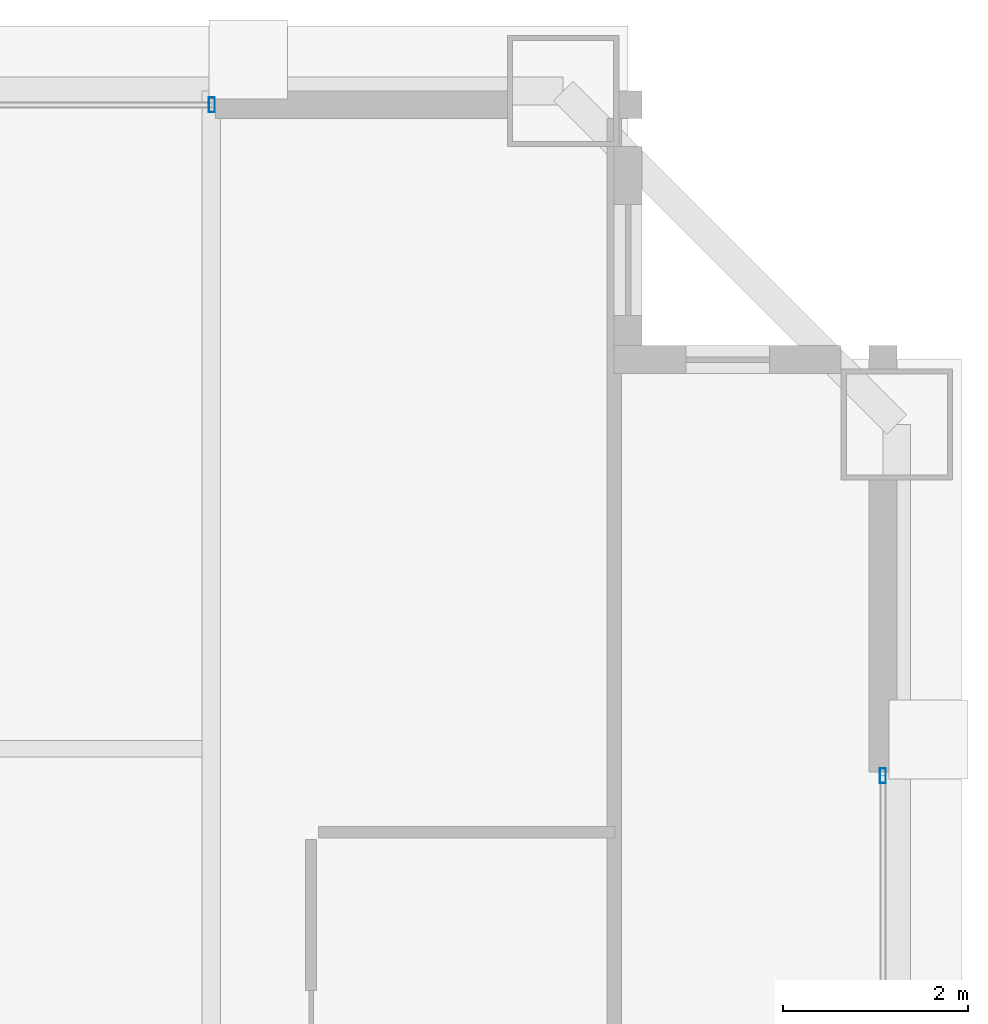
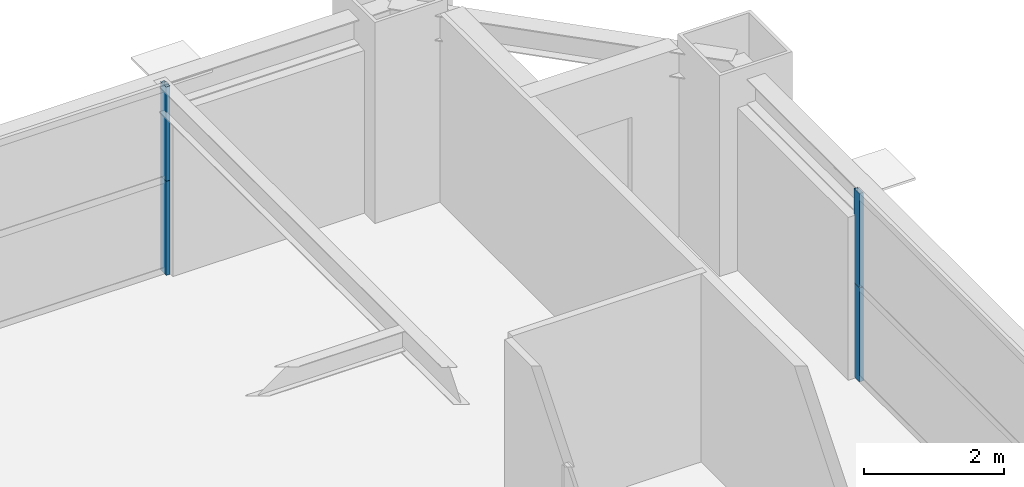
# One storey, part 31 of 37: 4 members, 2 elements without a shape of their own.
"""IFC4 building model written with IfcOpenShell, lengths in metres."""

from ifc_helpers import new_model, si_unit, direction, frame, origin, origin_2d, place, context, subcontext, project, spatial, hollow_rectangle, extrude, source, transform, mapped, material, layer, layer_set, material_profile, profile_set, type_object, element, aggregate, save


model = new_model("IFC4")

# Units and contexts
model_context = context("Model", 3, precision=1e-05, world=origin(), true_north=direction((0.0, 1.0)))
body_context = subcontext(model_context, "Body", "Model", "MODEL_VIEW")
ifc_project = project(units=[si_unit("LENGTHUNIT", "METRE"), si_unit("AREAUNIT", "SQUARE_METRE"), si_unit("VOLUMEUNIT", "CUBIC_METRE"), si_unit("PLANEANGLEUNIT", "RADIAN"), si_unit("MASSUNIT", "GRAM", prefix="KILO"), si_unit("THERMODYNAMICTEMPERATUREUNIT", "KELVIN"), si_unit("POWERUNIT", "WATT")], contexts=[model_context])

# Site, building, storey
site_placement = place(None, origin())
site = spatial("IfcSite", under=ifc_project, at=site_placement, CompositionType="ELEMENT")
building_placement = place(site_placement, origin())
building = spatial("IfcBuilding", under=site, at=building_placement, Name="Yuzanri Waterfront Tower", CompositionType="ELEMENT")
storey_placement = place(building_placement, frame((0.0, 0.0, 275.10009765625)))
storey = spatial("IfcBuildingStorey", under=building, at=storey_placement, Name="L73", CompositionType="ELEMENT", Elevation=275.10009765625)

# Curtain wall, members
ifc_material_1 = material(Name="Anodized Architectural Bronze", Category="metal")
ifc_layer = layer(ifc_material_1, 0.159912109375)
ifc_layer_set = layer_set([ifc_layer], Name="Anodized Architectural Bronze")
curtain_wall_type = type_object("IfcCurtainWallType", Name="Anodized Bronze Mid-Rise Residential Acoustic Unitized Curtain Wall 7200", PredefinedType="NOTDEFINED", material=ifc_layer_set)
curtain_wall_1_placement = place(storey_placement, origin())
curtain_wall_1 = element("IfcCurtainWall", 1, at=curtain_wall_1_placement, inside=storey, type_object=curtain_wall_type, Name="L73 Curtain Wall CW-L73-NR", PredefinedType="NOTDEFINED")
ifc_material_2 = material(Name="Anodized Architectural Bronze", Category="metal")
ifc_material_profile = material_profile(ifc_material_2, hollow_rectangle(XDim=0.06494140625, YDim=0.159912109375, WallThickness=0.00341796875, at=origin_2d()), Name="CWM 65x160")
ifc_profile_set = profile_set([ifc_material_profile], Name="Anodized Architectural Bronze")
member_type = type_object("IfcMemberType", Name="Anodized Bronze Upper-Zone Curtain-Wall Mullion 65x160", PredefinedType="MULLION", material=ifc_profile_set)
shared_shape = source(origin(), body_context, "Body", "SweptSolid", [
    extrude(hollow_rectangle(XDim=0.06494140625, YDim=0.159912109375, WallThickness=0.00341796875, at=origin_2d()), origin(), (0.0, 0.0, 1.0), 1.637939453125),
])
member_1_placement = place(storey_placement, frame((50.2099609375, 46.25, 0.0), z_axis=(0.0, 0.0, 1.0), x_axis=(1.0, 0.0, 0.0)))
member_1 = element("IfcMember", 2, at=member_1_placement, type_object=member_type, Name="CW-L73-NR Lower Mullion 02", PredefinedType="MULLION", context=body_context, shape_type="MappedRepresentation", body=[
    mapped(shared_shape, transform((0.0, 0.0, 0.0), scale=1.0)),
])
member_2_placement = place(storey_placement, frame((50.2099609375, 46.25, 1.641845703125), z_axis=(0.0, 0.0, 1.0), x_axis=(1.0, 0.0, 0.0)))
member_2 = element("IfcMember", 3, at=member_2_placement, type_object=member_type, Name="CW-L73-NR Upper Mullion 02", PredefinedType="MULLION", context=body_context, shape_type="MappedRepresentation", body=[
    mapped(shared_shape, transform((0.0, 0.0, 0.0), scale=1.0)),
])
aggregate(curtain_wall_1, [member_1, member_2])

curtain_wall_2_placement = place(storey_placement, origin())
curtain_wall_2 = element("IfcCurtainWall", 4, at=curtain_wall_2_placement, inside=storey, type_object=curtain_wall_type, Name="L73 Curtain Wall CW-L73-ER", PredefinedType="NOTDEFINED")
member_3_placement = place(storey_placement, frame((57.449951171875, 39.010009765625, 0.0), z_axis=(0.0, 0.0, 1.0), x_axis=(1.0, 0.0, 0.0)))
member_3 = element("IfcMember", 5, at=member_3_placement, type_object=member_type, Name="CW-L73-ER Lower Mullion 02", PredefinedType="MULLION", context=body_context, shape_type="MappedRepresentation", body=[
    mapped(shared_shape, transform((0.0, 0.0, 0.0), scale=1.0)),
])
member_4_placement = place(storey_placement, frame((57.449951171875, 39.010009765625, 1.641845703125), z_axis=(0.0, 0.0, 1.0), x_axis=(1.0, 0.0, 0.0)))
member_4 = element("IfcMember", 6, at=member_4_placement, type_object=member_type, Name="CW-L73-ER Upper Mullion 02", PredefinedType="MULLION", context=body_context, shape_type="MappedRepresentation", body=[
    mapped(shared_shape, transform((0.0, 0.0, 0.0), scale=1.0)),
])
aggregate(curtain_wall_2, [member_3, member_4])

save(model, "model.ifc")
